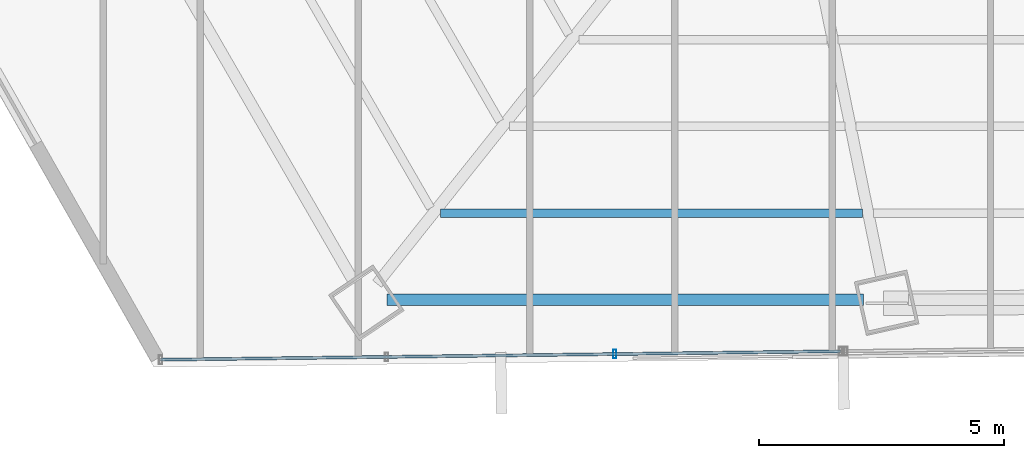
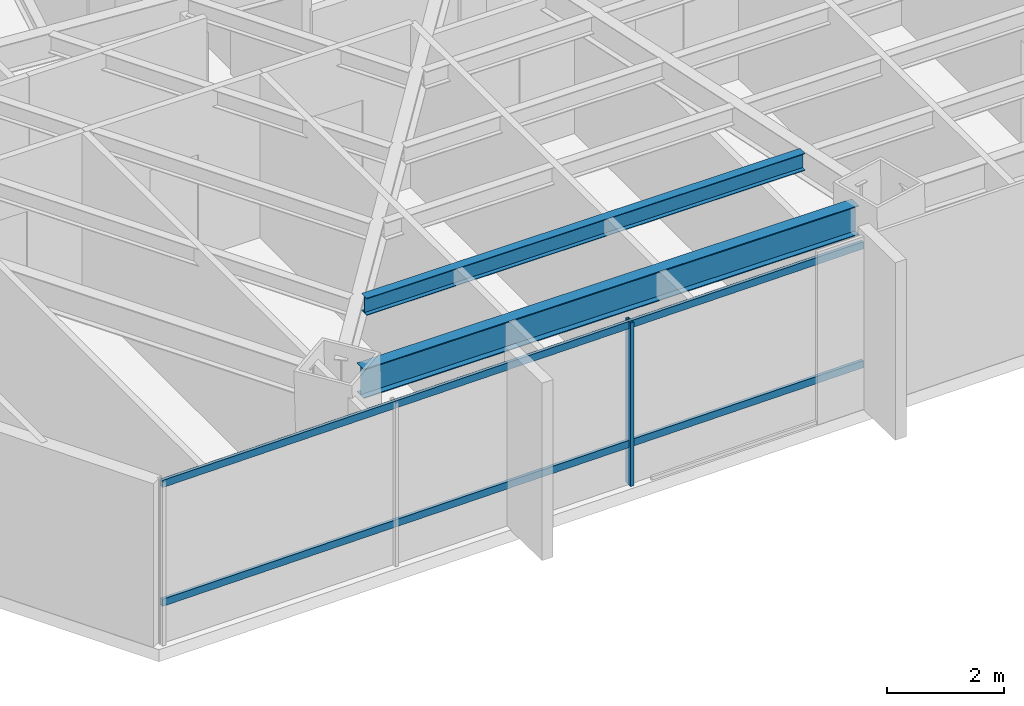
# One storey, part 3 of 35: 3 members, 2 beams, 1 element without a shape of its own.
"""IFC4 building model written with IfcOpenShell, lengths in metres."""

import ifcopenshell
import ifcopenshell.guid

model = None  # the IFC model being written
_history = None  # IfcOwnerHistory: only IFC2X3 demands one
_inside = {}  # id of a spatial element -> (the spatial element, [elements in it])
_under = {}  # id of a project, library or spatial element -> (it, [spatial elements below it])
_declared = {}  # id of a project -> (the project, [libraries it declares])
_typed = {}  # id of a type object -> (the type object, [elements of that type])
_made_of = {}  # id of a material, layer set ... -> (it, [elements and type objects made of it])


def new_model(schema):
    """Start an empty IFC model of exactly this schema.

    Asked for "IFC4X3", IfcOpenShell would pick the latest addendum, in which some entities
    have other attributes; the version numbers below select the first issue.
    IFC2X3 requires an IfcOwnerHistory on every rooted entity: one is made here for all.
    """
    global model, _history
    if schema == "IFC4X3":
        model = ifcopenshell.file(schema_version=(4, 3, 0, 0))
    else:
        model = ifcopenshell.file(schema=schema)
    _inside.clear()
    _under.clear()
    _declared.clear()
    _typed.clear()
    _made_of.clear()
    _history = None
    if model.schema == "IFC2X3":
        org = make("IfcOrganization", Name="unknown")
        user = make(
            "IfcPersonAndOrganization",
            ThePerson=make("IfcPerson", FamilyName="unknown"),
            TheOrganization=org,
        )
        app = make(
            "IfcApplication",
            ApplicationDeveloper=org,
            Version="unknown",
            ApplicationFullName="unknown",
            ApplicationIdentifier="unknown",
        )
        _history = make(
            "IfcOwnerHistory",
            OwningUser=user,
            OwningApplication=app,
            ChangeAction="ADDED",
            CreationDate=0,
        )
    return model


def make(cls, **values):
    """One entity of the class cls with the attributes given. An attribute that is None is left unset."""
    return model.create_entity(
        cls, **{name: value for name, value in values.items() if value is not None}
    )


def rooted(cls, **values):
    """An entity with a GlobalId (a new one), such as an element, a storey or a relation."""
    return make(cls, GlobalId=ifcopenshell.guid.new(), OwnerHistory=_history, **values)


def si_unit(unit_type, name, prefix=None):
    """IfcSIUnit, for example si_unit("LENGTHUNIT", "METRE", prefix="MILLI")."""
    return make("IfcSIUnit", UnitType=unit_type, Prefix=prefix, Name=name)


def assignment(units):
    """IfcUnitAssignment: the units of a project."""
    return None if units is None else make("IfcUnitAssignment", Units=units)


def point(xyz):
    """IfcCartesianPoint."""
    return None if xyz is None else make("IfcCartesianPoint", Coordinates=xyz)


def direction(xyz):
    """IfcDirection."""
    return None if xyz is None else make("IfcDirection", DirectionRatios=xyz)


def frame(location, z_axis=None, x_axis=None):
    """IfcAxis2Placement3D, a coordinate frame: its origin and axes. An axis left out is left unset."""
    return make(
        "IfcAxis2Placement3D",
        Location=point(location),
        Axis=direction(z_axis),
        RefDirection=direction(x_axis),
    )


def frame_2d(location, x_axis=None):
    """IfcAxis2Placement2D, a coordinate frame in the plane: its origin and x axis."""
    return make(
        "IfcAxis2Placement2D", Location=point(location), RefDirection=direction(x_axis)
    )


def origin():
    """The frame at (0, 0, 0) with its axes left unset."""
    return frame((0.0, 0.0, 0.0))


def origin_2d():
    """The frame at (0, 0) in the plane with its x axis left unset."""
    return frame_2d((0.0, 0.0))


def place(relative_to, where):
    """IfcLocalPlacement: puts the frame where relative to a parent placement (None: the world)."""
    return make(
        "IfcLocalPlacement", PlacementRelTo=relative_to, RelativePlacement=where
    )


def context(
    kind, dimensions, precision=None, world=None, true_north=None, identifier=None
):
    """IfcGeometricRepresentationContext, for example the 3D "Model" context."""
    return make(
        "IfcGeometricRepresentationContext",
        ContextIdentifier=identifier,
        ContextType=kind,
        CoordinateSpaceDimension=dimensions,
        Precision=precision,
        WorldCoordinateSystem=world,
        TrueNorth=true_north,
    )


def subcontext(parent, identifier, kind, view, scale=None):
    """IfcGeometricRepresentationSubContext, for example "Body" below "Model"."""
    return make(
        "IfcGeometricRepresentationSubContext",
        ContextIdentifier=identifier,
        ContextType=kind,
        ParentContext=parent,
        TargetScale=scale,
        TargetView=view,
    )


def project(units=None, contexts=None):
    """IfcProject with its units and contexts."""
    return rooted(
        "IfcProject",
        Name="project",
        RepresentationContexts=contexts,
        UnitsInContext=assignment(units),
    )


def spatial(cls, under=None, at=None, **own):
    """A site, building, storey or space (cls), placed at a placement, below another one or the project."""
    s = rooted(cls, ObjectPlacement=at, **own)
    if under is not None:
        _under.setdefault(under.id(), (under, []))[1].append(s)
    return s


def profile(cls, at=None, kind="AREA", **sizes):
    """A parametric profile (cls). Its sizes go by their IFC names, for example OverallWidth=200.0."""
    return make(cls, ProfileType=kind, Position=at, **sizes)


def hollow_rectangle(**sizes):
    """IfcRectangleHollowProfileDef."""
    return profile("IfcRectangleHollowProfileDef", **sizes)


def i_section(**sizes):
    """IfcIShapeProfileDef."""
    return profile("IfcIShapeProfileDef", **sizes)


def extrude(swept, where, along, depth):
    """IfcExtrudedAreaSolid: the profile swept, set in the frame where, extruded along a direction by depth."""
    return make(
        "IfcExtrudedAreaSolid",
        SweptArea=swept,
        Position=where,
        ExtrudedDirection=direction(along),
        Depth=depth,
    )


def shape(context_of_items, identifier, shape_type, items):
    """IfcShapeRepresentation: the items that make up one representation, for example the "Body"."""
    return make(
        "IfcShapeRepresentation",
        ContextOfItems=context_of_items,
        RepresentationIdentifier=identifier,
        RepresentationType=shape_type,
        Items=items,
    )


def source(mapping_origin, context_of_items, identifier, shape_type, items):
    """IfcRepresentationMap: a shape defined once, which mapped items show again and again."""
    return make(
        "IfcRepresentationMap",
        MappingOrigin=mapping_origin,
        MappedRepresentation=shape(context_of_items, identifier, shape_type, items),
    )


def transform(
    local_origin,
    x_axis=None,
    y_axis=None,
    z_axis=None,
    scale=None,
    scale2=None,
    scale3=None,
    uniform=True,
):
    """IfcCartesianTransformationOperator3D, or its non-uniform kind. x_axis, y_axis, z_axis: its Axis1, 2, 3."""
    if uniform:
        return make(
            "IfcCartesianTransformationOperator3D",
            Axis1=direction(x_axis),
            Axis2=direction(y_axis),
            LocalOrigin=point(local_origin),
            Scale=scale,
            Axis3=direction(z_axis),
        )
    return make(
        "IfcCartesianTransformationOperator3DnonUniform",
        Axis1=direction(x_axis),
        Axis2=direction(y_axis),
        LocalOrigin=point(local_origin),
        Scale=scale,
        Axis3=direction(z_axis),
        Scale2=scale2,
        Scale3=scale3,
    )


def mapped(mapping_source, mapping_target):
    """IfcMappedItem: shows the shape of a source again, moved by a transform."""
    return make(
        "IfcMappedItem", MappingSource=mapping_source, MappingTarget=mapping_target
    )


def material(Name=None, Category=None):
    """IfcMaterial."""
    return make("IfcMaterial", Name=Name, Category=Category)


def material_profile(
    of_material, cross_section, Name=None, Category=None, Priority=None
):
    """IfcMaterialProfile: a cross section and its material."""
    return make(
        "IfcMaterialProfile",
        Name=Name,
        Material=of_material,
        Profile=cross_section,
        Priority=Priority,
        Category=Category,
    )


def profile_set(profiles, Name=None, composite=None):
    """IfcMaterialProfileSet."""
    return make(
        "IfcMaterialProfileSet",
        Name=Name,
        MaterialProfiles=profiles,
        CompositeProfile=composite,
    )


def made_of(thing, what):
    """Note that an element or type object is made of a material, layer set ...; save() writes the relation."""
    if what is not None:
        _made_of.setdefault(what.id(), (what, []))[1].append(thing)
    return thing


def type_object(cls, material=None, **own):
    """A type object (cls), such as IfcWallType, which elements share."""
    return made_of(rooted(cls, **own), material)


def type_shapes(of_type, sources):
    """Give a type object the sources (RepresentationMaps) that its elements show as mapped items."""
    of_type.RepresentationMaps = sources


def element(
    cls,
    number,
    at=None,
    inside=None,
    cuts=None,
    type_object=None,
    material=None,
    context=None,
    identifier="Body",
    shape_type=None,
    held_by="IfcProductDefinitionShape",
    body=None,
    shapes=None,
    **own,
):
    """One element of the class cls, such as IfcWall. Its Tag is "e" and its number.

    at: its placement. inside: the storey or other place that contains it. cuts: it is an
    opening in that element (IfcRelVoidsElement). A single representation is given by context,
    identifier, shape_type and body (its items); several are given by shapes. held_by: the class
    of the entity that holds the representations. save() writes the other relations.
    """
    e = rooted(cls, Tag="e%d" % number, ObjectPlacement=at, **own)
    if body is not None:
        shapes = [shape(context, identifier, shape_type, body)]
    if shapes is not None:
        e.Representation = make(held_by, Representations=shapes)
    if inside is not None:
        _inside.setdefault(inside.id(), (inside, []))[1].append(e)
    if cuts is not None:
        rooted(
            "IfcRelVoidsElement", RelatingBuildingElement=cuts, RelatedOpeningElement=e
        )
    if type_object is not None:
        _typed.setdefault(type_object.id(), (type_object, []))[1].append(e)
    return made_of(e, material)


def aggregate(whole, parts):
    """IfcRelAggregates: a whole, such as a stair, and the parts it consists of."""
    return rooted("IfcRelAggregates", RelatingObject=whole, RelatedObjects=parts)


def save(model, path):
    """Write the relations noted so far, then the file.

    IfcRelAggregates (storeys below a building ...), IfcRelContainedInSpatialStructure (elements
    in a storey), IfcRelDefinesByType, IfcRelAssociatesMaterial and IfcRelDeclares: one each for
    every whole, place, type object, material and project.
    """
    for whole, parts in _under.values():
        aggregate(whole, parts)
    for where, things in _inside.values():
        rooted(
            "IfcRelContainedInSpatialStructure",
            RelatedElements=things,
            RelatingStructure=where,
        )
    for kind, things in _typed.values():
        rooted("IfcRelDefinesByType", RelatedObjects=things, RelatingType=kind)
    for what, things in _made_of.values():
        rooted("IfcRelAssociatesMaterial", RelatedObjects=things, RelatingMaterial=what)
    for by, libraries in _declared.values():
        rooted("IfcRelDeclares", RelatingContext=by, RelatedDefinitions=libraries)
    model.write(path)


model = new_model("IFC4")

# Units and contexts
model_context = context("Model", 3, precision=1e-05, world=origin(), true_north=direction((0.0, 1.0)))
body_context = subcontext(model_context, "Body", "Model", "MODEL_VIEW")
ifc_project = project(units=[si_unit("LENGTHUNIT", "METRE"), si_unit("AREAUNIT", "SQUARE_METRE"), si_unit("VOLUMEUNIT", "CUBIC_METRE"), si_unit("PLANEANGLEUNIT", "RADIAN"), si_unit("MASSUNIT", "GRAM", prefix="KILO")], contexts=[model_context])

# Site, building, storey
site_placement = place(None, origin())
site = spatial("IfcSite", under=ifc_project, at=site_placement, CompositionType="ELEMENT")
building_placement = place(site_placement, origin())
building = spatial("IfcBuilding", under=site, at=building_placement, Name="Caelisora Broadcast Tower", CompositionType="ELEMENT")
storey_placement = place(building_placement, frame((0.0, 0.0, 123.64990234375)))
storey = spatial("IfcBuildingStorey", under=building, at=storey_placement, Name="L32", CompositionType="ELEMENT", Elevation=123.64990234375)

# Beams
ifc_material_1 = material(Name="Steel Grade 350 (AS/NZS 3679.1)", Category="steel")
ifc_material_profile_1 = material_profile(ifc_material_1, i_section(OverallWidth=0.22900390625, OverallDepth=0.611572265625, WebThickness=0.011962890625, FlangeThickness=0.01953125, at=origin_2d()), Name="Steel Grade 350 (AS/NZS 3679.1)")
ifc_profile_set_1 = profile_set([ifc_material_profile_1], Name="Steel Grade 350 (AS/NZS 3679.1)")
beam_type_1 = type_object("IfcBeamType", Name="PG03", PredefinedType="BEAM", material=ifc_profile_set_1)
shared_shape_1 = source(origin(), body_context, "Body", "SweptSolid", [
    extrude(i_section(OverallWidth=0.22900390625, OverallDepth=0.611572265625, WebThickness=0.011962890625, FlangeThickness=0.01953125, at=origin_2d()), origin(), (0.0, 0.0, 1.0), 9.730224609375),
])
type_shapes(beam_type_1, [shared_shape_1])
beam_1_placement = place(storey_placement, frame((22.48486328125, 6.77490234375, 3.09423828125), z_axis=(1.0, 0.0, 0.0), x_axis=(0.0, 1.0, 0.0)))
element("IfcBeam", 1, at=beam_1_placement, inside=storey, type_object=beam_type_1, Name="L32 beam PG03", PredefinedType="BEAM", context=body_context, shape_type="MappedRepresentation", body=[
    mapped(shared_shape_1, transform((0.0, 0.0, 0.0), scale=1.0)),
])
ifc_material_profile_2 = material_profile(ifc_material_1, i_section(OverallWidth=0.172119140625, OverallDepth=0.358642578125, WebThickness=0.008056640625, FlangeThickness=0.012939453125, at=origin_2d()), Name="Steel Grade 350 (AS/NZS 3679.1)")
ifc_profile_set_2 = profile_set([ifc_material_profile_2], Name="Steel Grade 350 (AS/NZS 3679.1)")
beam_type_2 = type_object("IfcBeamType", Name="SB02", PredefinedType="JOIST", material=ifc_profile_set_2)
shared_shape_2 = source(origin(), body_context, "Body", "SweptSolid", [
    extrude(i_section(OverallWidth=0.172119140625, OverallDepth=0.358642578125, WebThickness=0.008056640625, FlangeThickness=0.012939453125, at=origin_2d()), origin(), (0.0, 0.0, 1.0), 8.619140625),
])
type_shapes(beam_type_2, [shared_shape_2])
beam_2_placement = place(storey_placement, frame((23.580078125, 8.545654296875, 3.220703125), z_axis=(1.0, 0.0, 0.0), x_axis=(0.0, 1.0, 0.0)))
element("IfcBeam", 2, at=beam_2_placement, inside=storey, type_object=beam_type_2, Name="L32 beam SB02", PredefinedType="JOIST", context=body_context, shape_type="MappedRepresentation", body=[
    mapped(shared_shape_2, transform((0.0, 0.0, 0.0), scale=1.0)),
])

# Curtain wall, members
ifc_material_2 = material(Name="Unitised Aluminium and Low-E Glass Curtain Wall", Category="glass")
curtain_wall_type = type_object("IfcCurtainWallType", Name="CW-Z2", PredefinedType="NOTDEFINED", material=ifc_material_2)
curtain_wall_placement = place(storey_placement, origin())
curtain_wall = element("IfcCurtainWall", 3, at=curtain_wall_placement, inside=storey, type_object=curtain_wall_type, Name="L32 curtain wall CW-Z2", PredefinedType="NOTDEFINED")
ifc_material_3 = material(Name="Aluminium 6063-T6 Anodised Terracotta Bronze", Category="aluminium")
ifc_material_profile_3 = material_profile(ifc_material_3, hollow_rectangle(XDim=0.06494140625, YDim=0.179931640625, WallThickness=0.00341796875, at=origin_2d()), Name="Aluminium 6063-T6 Anodised Terracotta Bronze")
ifc_profile_set_3 = profile_set([ifc_material_profile_3], Name="Aluminium 6063-T6 Anodised Terracotta Bronze")
member_type_1 = type_object("IfcMemberType", Name="CWM-02", PredefinedType="MULLION", material=ifc_profile_set_3)
shared_shape_3 = source(origin(), body_context, "Body", "SweptSolid", [
    extrude(hollow_rectangle(XDim=0.06494140625, YDim=0.179931640625, WallThickness=0.00341796875, at=origin_2d()), origin(), (0.0, 0.0, 1.0), 3.400146484375),
])
type_shapes(member_type_1, [shared_shape_3])
member_1_placement = place(storey_placement, frame((27.137939453125, 5.668212890625, 0.0), z_axis=(0.0, 0.0, 1.0), x_axis=(1.0, 0.0, 0.0)))
member_1 = element("IfcMember", 4, at=member_1_placement, type_object=member_type_1, Name="L32-CW-B07 mullion #1", PredefinedType="MULLION", context=body_context, shape_type="MappedRepresentation", body=[
    mapped(shared_shape_3, transform((0.0, 0.0, 0.0), scale=1.0)),
])
ifc_material_profile_4 = material_profile(ifc_material_3, hollow_rectangle(XDim=0.06005859375, YDim=0.14990234375, WallThickness=0.00341796875, at=origin_2d()), Name="Aluminium 6063-T6 Anodised Terracotta Bronze")
ifc_profile_set_4 = profile_set([ifc_material_profile_4], Name="Aluminium 6063-T6 Anodised Terracotta Bronze")
member_type_2 = type_object("IfcMemberType", Name="CWT-02", PredefinedType="USERDEFINED", material=ifc_profile_set_4)
shared_shape_4 = source(origin(), body_context, "Body", "SweptSolid", [
    extrude(hollow_rectangle(XDim=0.06005859375, YDim=0.14990234375, WallThickness=0.00341796875, at=origin_2d()), origin(), (0.0, 0.0, 1.0), 13.88232421875),
])
type_shapes(member_type_2, [shared_shape_4])
member_2_placement = place(storey_placement, frame((31.748291015625, 5.7255859375, 0.85009765625), z_axis=(-0.99992226284, -0.012468691905, 0.0), x_axis=(0.012468691905, -0.99992226284, 0.0)))
member_2 = element("IfcMember", 5, at=member_2_placement, type_object=member_type_2, Name="L32-CW-B07 transom #1", ObjectType="TRANSOM", PredefinedType="USERDEFINED", context=body_context, shape_type="MappedRepresentation", body=[
    mapped(shared_shape_4, transform((0.0, 0.0, 0.0), scale=1.0)),
])
member_3_placement = place(storey_placement, frame((31.748291015625, 5.7255859375, 3.320068359375), z_axis=(-0.99992226284, -0.012468691905, 0.0), x_axis=(0.012468691905, -0.99992226284, 0.0)))
member_3 = element("IfcMember", 6, at=member_3_placement, type_object=member_type_2, Name="L32-CW-B07 transom #2", ObjectType="TRANSOM", PredefinedType="USERDEFINED", context=body_context, shape_type="MappedRepresentation", body=[
    mapped(shared_shape_4, transform((0.0, 0.0, 0.0), scale=1.0)),
])
aggregate(curtain_wall, [member_1, member_2, member_3])

save(model, "model.ifc")
